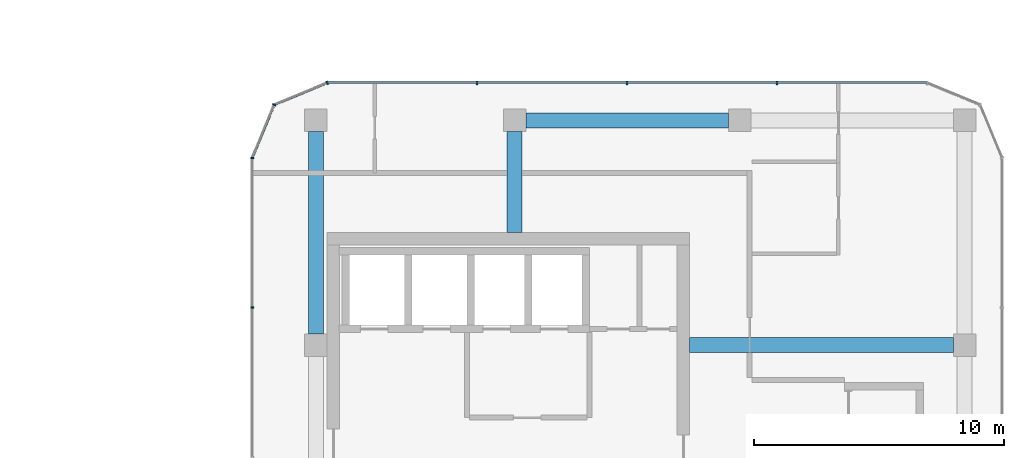
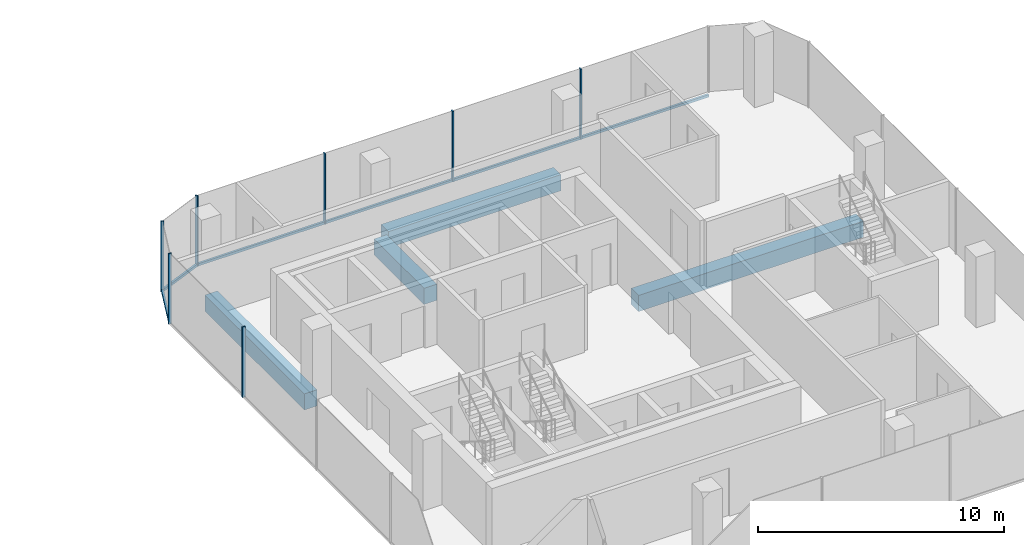
# One storey, part 9 of 22: 10 members, 4 beams, 4 elements without a shape of their own.
"""IFC4 building model written with IfcOpenShell, lengths in metres."""

from ifc_helpers import new_model, si_unit, direction, frame, origin, origin_2d, place, context, subcontext, project, spatial, rectangle, extrude, material, layer, layer_set, material_profile, profile_set, type_object, element, aggregate, save


model = new_model("IFC4")

# Units and contexts
model_context = context("Model", 3, precision=1e-05, world=origin(), true_north=direction((0.0, 1.0)))
body_context = subcontext(model_context, "Body", "Model", "MODEL_VIEW")
ifc_project = project(units=[si_unit("LENGTHUNIT", "METRE"), si_unit("AREAUNIT", "SQUARE_METRE"), si_unit("VOLUMEUNIT", "CUBIC_METRE"), si_unit("PLANEANGLEUNIT", "RADIAN"), si_unit("MASSUNIT", "GRAM", prefix="KILO")], contexts=[model_context])

# Site, building, storey
site_placement = place(None, origin())
site = spatial("IfcSite", under=ifc_project, at=site_placement, CompositionType="ELEMENT")
building_placement = place(site_placement, origin())
building = spatial("IfcBuilding", under=site, at=building_placement, Name="Plateau Cross Towers", CompositionType="ELEMENT")
storey_placement = place(building_placement, frame((0.0, 0.0, 61.800048828125)))
storey = spatial("IfcBuildingStorey", under=building, at=storey_placement, Name="L15", CompositionType="ELEMENT", Elevation=61.800048828125)

# Beams
ifc_material_1 = material(Name="Concrete C60/75", Category="concrete")
ifc_material_profile_1 = material_profile(ifc_material_1, rectangle(XDim=0.60009765625, YDim=0.800048828125, at=origin_2d()), Name="RC 600x800")
ifc_profile_set_1 = profile_set([ifc_material_profile_1], Name="Concrete C60/75")
beam_type_1 = type_object("IfcBeamType", Name="Core beam RC 600x800", PredefinedType="BEAM", material=ifc_profile_set_1)
beam_1_placement = place(storey_placement, frame((89.5, 13.5, -0.650146484375), z_axis=(1.0, 0.0, 0.0), x_axis=(0.0, 1.0, 0.0)))
element("IfcBeam", 1, at=beam_1_placement, inside=storey, type_object=beam_type_1, Name="B-CB03@L15", PredefinedType="BEAM", context=body_context, shape_type="SweptSolid", body=[
    extrude(rectangle(XDim=0.60009765625, YDim=0.800048828125, at=origin_2d()), origin(), (0.0, 0.0, 1.0), 10.550048828125),
])
beam_2_placement = place(storey_placement, frame((82.5, 18.0, -0.650146484375), z_axis=(0.0, 1.0, 0.0), x_axis=(-1.0, 0.0, 0.0)))
element("IfcBeam", 2, at=beam_2_placement, inside=storey, type_object=beam_type_1, Name="B-CB04@L15", PredefinedType="BEAM", context=body_context, shape_type="SweptSolid", body=[
    extrude(rectangle(XDim=0.60009765625, YDim=0.800048828125, at=origin_2d()), origin(), (0.0, 0.0, 1.0), 4.050048828125),
])

# Curtain wall, members
ifc_material_2 = material(Name="Dark low-iron glass", Category="glass")
ifc_layer = layer(ifc_material_2, 0.239990234375)
ifc_layer_set = layer_set([ifc_layer], Name="Dark low-iron glass")
curtain_wall_type = type_object("IfcCurtainWallType", Name="Curtain wall office unitised CW-F", PredefinedType="NOTDEFINED", material=ifc_layer_set)
curtain_wall_1_placement = place(storey_placement, origin())
curtain_wall_1 = element("IfcCurtainWall", 3, at=curtain_wall_1_placement, inside=storey, type_object=curtain_wall_type, Name="ENV/B/L15/B990_240", PredefinedType="NOTDEFINED")
ifc_material_3 = material(Name="Black anodised aluminium", Category="aluminium")
ifc_material_profile_2 = material_profile(ifc_material_3, rectangle(XDim=0.06005859375, YDim=0.139892578125, at=origin_2d()), Name="MULLION 60x140")
ifc_profile_set_2 = profile_set([ifc_material_profile_2], Name="Black anodised aluminium")
member_type_1 = type_object("IfcMemberType", Name="Mullion 60x140 office unitised", PredefinedType="MULLION", material=ifc_profile_set_2)
member_1_placement = place(storey_placement, frame((93.0, 24.0, -0.25), z_axis=(0.0, 0.0, 1.0), x_axis=(-1.0, 0.0, 0.0)))
member_1 = element("IfcMember", 4, at=member_1_placement, type_object=member_type_1, Name="CW-F mullion 2", PredefinedType="MULLION", context=body_context, shape_type="SweptSolid", body=[
    extrude(rectangle(XDim=0.06005859375, YDim=0.139892578125, at=origin_2d()), origin(), (0.0, 0.0, 1.0), 3.5),
])
member_2_placement = place(storey_placement, frame((87.0, 24.0, -0.25), z_axis=(0.0, 0.0, 1.0), x_axis=(-1.0, 0.0, 0.0)))
member_2 = element("IfcMember", 5, at=member_2_placement, type_object=member_type_1, Name="CW-F mullion 3", PredefinedType="MULLION", context=body_context, shape_type="SweptSolid", body=[
    extrude(rectangle(XDim=0.06005859375, YDim=0.139892578125, at=origin_2d()), origin(), (0.0, 0.0, 1.0), 3.5),
])
member_3_placement = place(storey_placement, frame((81.0, 24.0, -0.25), z_axis=(0.0, 0.0, 1.0), x_axis=(-1.0, 0.0, 0.0)))
member_3 = element("IfcMember", 6, at=member_3_placement, type_object=member_type_1, Name="CW-F mullion 4", PredefinedType="MULLION", context=body_context, shape_type="SweptSolid", body=[
    extrude(rectangle(XDim=0.06005859375, YDim=0.139892578125, at=origin_2d()), origin(), (0.0, 0.0, 1.0), 3.5),
])

# Curtain wall, member
curtain_wall_2_placement = place(storey_placement, origin())
curtain_wall_2 = element("IfcCurtainWall", 7, at=curtain_wall_2_placement, inside=storey, type_object=curtain_wall_type, Name="ENV/B/L15/B750_240", PredefinedType="NOTDEFINED")
member_4_placement = place(storey_placement, frame((75.0, 24.0, -0.25), z_axis=(0.0, 0.0, 1.0), x_axis=(-0.923879457699, -0.382683612978, 0.0)))
member_4 = element("IfcMember", 8, at=member_4_placement, type_object=member_type_1, Name="CW-F mullion 1", PredefinedType="MULLION", context=body_context, shape_type="SweptSolid", body=[
    extrude(rectangle(XDim=0.06005859375, YDim=0.139892578125, at=origin_2d()), origin(), (0.0, 0.0, 1.0), 3.5),
])

curtain_wall_3_placement = place(storey_placement, origin())
curtain_wall_3 = element("IfcCurtainWall", 9, at=curtain_wall_3_placement, inside=storey, type_object=curtain_wall_type, Name="ENV/B/L15/B729_231", PredefinedType="NOTDEFINED")
member_5_placement = place(storey_placement, frame((72.878662109375, 23.121337890625, -0.25), z_axis=(0.0, 0.0, 1.0), x_axis=(-0.382683612978, -0.923879457699, 0.0)))
member_5 = element("IfcMember", 10, at=member_5_placement, type_object=member_type_1, Name="CW-F mullion 1", PredefinedType="MULLION", context=body_context, shape_type="SweptSolid", body=[
    extrude(rectangle(XDim=0.06005859375, YDim=0.139892578125, at=origin_2d()), origin(), (0.0, 0.0, 1.0), 3.5),
])

# Curtain wall, members
curtain_wall_4_placement = place(storey_placement, origin())
curtain_wall_4 = element("IfcCurtainWall", 11, at=curtain_wall_4_placement, inside=storey, type_object=curtain_wall_type, Name="ENV/B/L15/B720_210", PredefinedType="NOTDEFINED")
member_6_placement = place(storey_placement, frame((72.0, 21.0, -0.25), z_axis=(0.0, 0.0, 1.0), x_axis=(0.0, -1.0, 0.0)))
member_6 = element("IfcMember", 12, at=member_6_placement, type_object=member_type_1, Name="CW-F mullion 1", PredefinedType="MULLION", context=body_context, shape_type="SweptSolid", body=[
    extrude(rectangle(XDim=0.06005859375, YDim=0.139892578125, at=origin_2d()), origin(), (0.0, 0.0, 1.0), 3.5),
])
member_7_placement = place(storey_placement, frame((72.0, 15.0, -0.25), z_axis=(0.0, 0.0, 1.0), x_axis=(0.0, -1.0, 0.0)))
member_7 = element("IfcMember", 13, at=member_7_placement, type_object=member_type_1, Name="CW-F mullion 2", PredefinedType="MULLION", context=body_context, shape_type="SweptSolid", body=[
    extrude(rectangle(XDim=0.06005859375, YDim=0.139892578125, at=origin_2d()), origin(), (0.0, 0.0, 1.0), 3.5),
])
aggregate(curtain_wall_4, [member_6, member_7])

# Beams
ifc_material_profile_3 = material_profile(ifc_material_1, rectangle(XDim=0.60009765625, YDim=0.800048828125, at=origin_2d()), Name="RC 600x800")
ifc_profile_set_3 = profile_set([ifc_material_profile_3], Name="Concrete C60/75")
beam_type_2 = type_object("IfcBeamType", Name="Ring beam RC 600x800", PredefinedType="BEAM", material=ifc_profile_set_3)
for number, where, z_axis, x_axis, name in (
    (14, (91.050048828125, 22.5, -0.650146484375), (-1.0, 0.0, 0.0), (0.0, -1.0, 0.0), "B-RB07@L15"),
    (15, (74.550048828125, 22.050048828125, -0.650146484375), (0.0, -1.0, 0.0), (1.0, 0.0, 0.0), "B-RB08@L15"),
):
    element("IfcBeam", number, at=place(storey_placement, frame(where, z_axis=z_axis, x_axis=x_axis)), inside=storey, type_object=beam_type_2, Name=name, PredefinedType="BEAM", context=body_context, shape_type="SweptSolid", body=[
        extrude(rectangle(XDim=0.60009765625, YDim=0.800048828125, at=origin_2d()), origin(), (0.0, 0.0, 1.0), 8.10009765625),
    ])

# Member
ifc_material_profile_4 = material_profile(ifc_material_3, rectangle(XDim=0.10009765625, YDim=0.1201171875, at=origin_2d()), Name="TRANSOM 100x120")
ifc_profile_set_4 = profile_set([ifc_material_profile_4], Name="Black anodised aluminium")
member_type_2 = type_object("IfcMemberType", Name="Transom 100x120 office unitised", PredefinedType="USERDEFINED", material=ifc_profile_set_4)
member_8_placement = place(storey_placement, frame((99.0, 24.0, -0.18994140625), z_axis=(-1.0, 0.0, 0.0), x_axis=(0.0, -1.0, 0.0)))
member_8 = element("IfcMember", 16, at=member_8_placement, type_object=member_type_2, Name="CW-F transom", ObjectType="TRANSOM", PredefinedType="USERDEFINED", context=body_context, shape_type="SweptSolid", body=[
    extrude(rectangle(XDim=0.10009765625, YDim=0.1201171875, at=origin_2d()), origin(), (0.0, 0.0, 1.0), 24.0),
])

aggregate(curtain_wall_1, [member_1, member_2, member_3, member_8])

member_9_placement = place(storey_placement, frame((75.0, 24.0, -0.18994140625), z_axis=(-0.923883353507, -0.382674207535, 0.0), x_axis=(0.382674207535, -0.923883353507, 0.0)))
member_9 = element("IfcMember", 17, at=member_9_placement, type_object=member_type_2, Name="CW-F transom", ObjectType="TRANSOM", PredefinedType="USERDEFINED", context=body_context, shape_type="SweptSolid", body=[
    extrude(rectangle(XDim=0.10009765625, YDim=0.1201171875, at=origin_2d()), origin(), (0.0, 0.0, 1.0), 2.296142578125),
])

aggregate(curtain_wall_2, [member_4, member_9])

member_10_placement = place(storey_placement, frame((72.878662109375, 23.121337890625, -0.18994140625), z_axis=(-0.382674207535, -0.923883353507, 0.0), x_axis=(0.923883353507, -0.382674207535, 0.0)))
member_10 = element("IfcMember", 18, at=member_10_placement, type_object=member_type_2, Name="CW-F transom", ObjectType="TRANSOM", PredefinedType="USERDEFINED", context=body_context, shape_type="SweptSolid", body=[
    extrude(rectangle(XDim=0.10009765625, YDim=0.1201171875, at=origin_2d()), origin(), (0.0, 0.0, 1.0), 2.296142578125),
])

aggregate(curtain_wall_3, [member_5, member_10])

save(model, "model.ifc")
